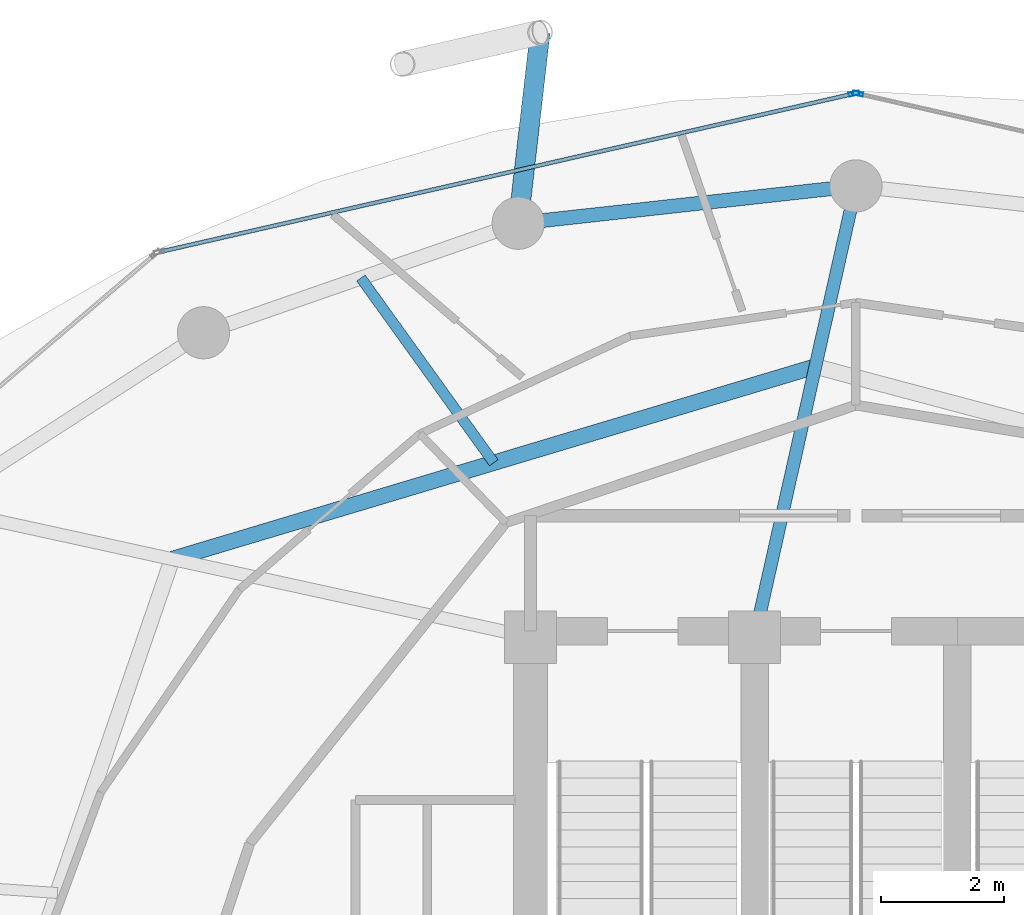
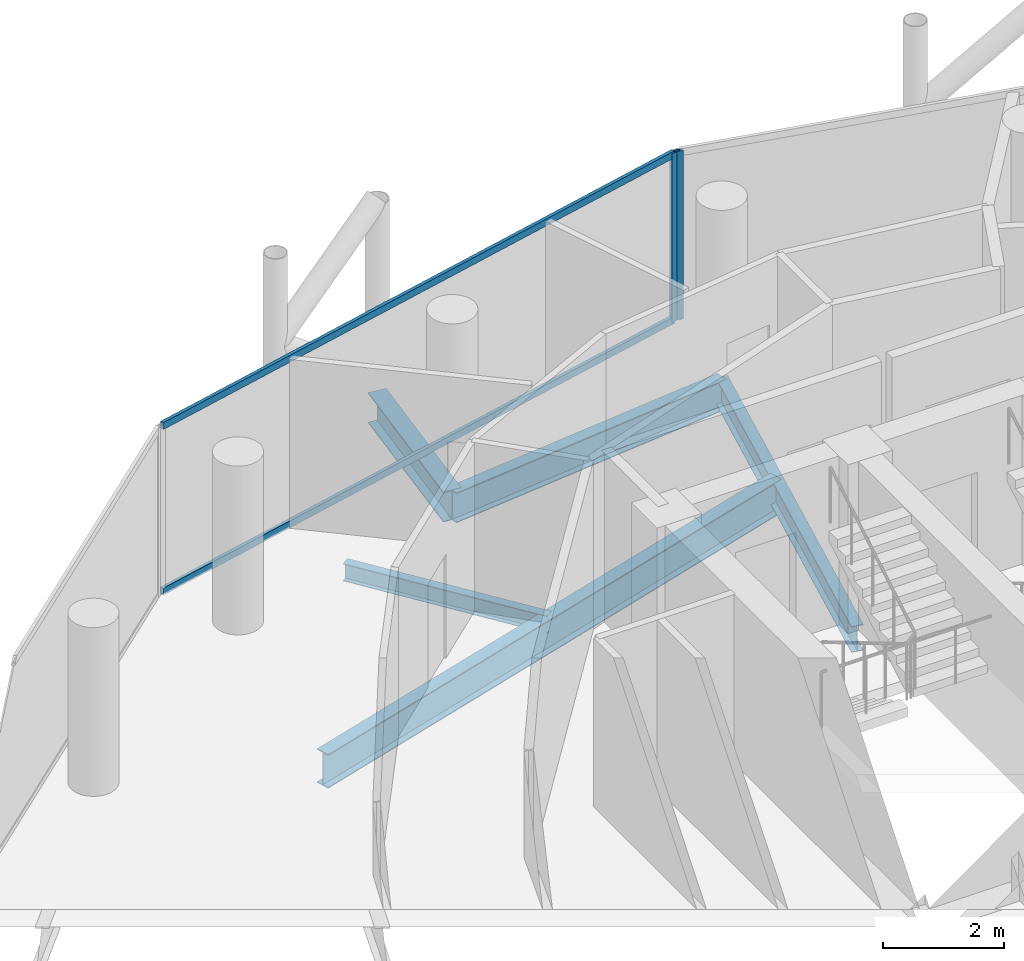
# One storey, part 19 of 27: 5 beams, 4 members, 2 elements without a shape of their own.
"""IFC4 building model written with IfcOpenShell, lengths in metres."""

from ifc_helpers import new_model, si_unit, direction, frame, origin, origin_2d, place, context, subcontext, project, spatial, hollow_rectangle, i_section, extrude, material, layer, layer_set, material_profile, profile_set, type_object, element, aggregate, save


model = new_model("IFC4")

# Units and contexts
model_context = context("Model", 3, precision=1e-05, world=origin(), true_north=direction((0.0, 1.0)))
body_context = subcontext(model_context, "Body", "Model", "MODEL_VIEW")
ifc_project = project(units=[si_unit("LENGTHUNIT", "METRE"), si_unit("AREAUNIT", "SQUARE_METRE"), si_unit("VOLUMEUNIT", "CUBIC_METRE"), si_unit("PLANEANGLEUNIT", "RADIAN"), si_unit("MASSUNIT", "GRAM", prefix="KILO")], contexts=[model_context])

# Site, building, storey
site_placement = place(None, origin())
site = spatial("IfcSite", under=ifc_project, at=site_placement, CompositionType="ELEMENT")
building_placement = place(site_placement, origin())
building = spatial("IfcBuilding", under=site, at=building_placement, Name="Nuhasar Tower", CompositionType="ELEMENT")
storey_placement = place(building_placement, frame((0.0, 0.0, 248.300048828125)))
storey = spatial("IfcBuildingStorey", under=building, at=storey_placement, Name="L61", CompositionType="ELEMENT", Elevation=248.300048828125)

# Beams
ifc_material_1 = material(Name="Steel S355", Category="steel")
ifc_material_profile_1 = material_profile(ifc_material_1, i_section(OverallWidth=0.25390625, OverallDepth=0.68408203125, WebThickness=0.012451171875, FlangeThickness=0.018798828125, at=origin_2d()), Name="W27X94")
ifc_profile_set_1 = profile_set([ifc_material_profile_1], Name="Steel S355")
beam_type_1 = type_object("IfcBeamType", Name="BM-INRING-W27X94", PredefinedType="BEAM", material=ifc_profile_set_1)
beam_1_placement = place(storey_placement, frame((38.340087890625, 41.7099609375, -0.58203125), z_axis=(-0.957973628187, -0.28685628405, 0.0), x_axis=(0.28685628405, -0.957973628187, 0.0)))
element("IfcBeam", 1, at=beam_1_placement, inside=storey, type_object=beam_type_1, Name="L61 Inner Header Beam 06", PredefinedType="BEAM", context=body_context, shape_type="SweptSolid", body=[
    extrude(i_section(OverallWidth=0.25390625, OverallDepth=0.68408203125, WebThickness=0.012451171875, FlangeThickness=0.018798828125, at=origin_2d()), origin(), (0.0, 0.0, 1.0), 10.935546875),
])
ifc_material_profile_2 = material_profile(ifc_material_1, i_section(OverallWidth=0.1708984375, OverallDepth=0.35205078125, WebThickness=0.0068359375, FlangeThickness=0.009765625, at=origin_2d()), Name="W14X30")
ifc_profile_set_2 = profile_set([ifc_material_profile_2], Name="Steel S355")
beam_type_2 = type_object("IfcBeamType", Name="BM-JST-W14X30", PredefinedType="JOIST", material=ifc_profile_set_2)
beam_2_placement = place(storey_placement, frame((33.10205078125, 40.14208984375, -0.416015625), z_axis=(-0.58390205555, 0.811824112431, 0.0), x_axis=(-0.811824112431, -0.58390205555, 0.0)))
element("IfcBeam", 2, at=beam_2_placement, inside=storey, type_object=beam_type_2, Name="L61 Secondary Floor Joist 06", PredefinedType="JOIST", context=body_context, shape_type="SweptSolid", body=[
    extrude(i_section(OverallWidth=0.1708984375, OverallDepth=0.35205078125, WebThickness=0.0068359375, FlangeThickness=0.009765625, at=origin_2d()), origin(), (0.0, 0.0, 1.0), 3.706298828125),
])
ifc_material_profile_3 = material_profile(ifc_material_1, i_section(OverallWidth=0.208984375, OverallDepth=0.528076171875, WebThickness=0.009521484375, FlangeThickness=0.01318359375, at=origin_2d()), Name="W21X55")
ifc_profile_set_3 = profile_set([ifc_material_profile_3], Name="Steel S355")
beam_type_3 = type_object("IfcBeamType", Name="BM-RAD-W21X55", PredefinedType="BEAM", material=ifc_profile_set_3)
beam_3_placement = place(storey_placement, frame((37.35009765625, 37.300048828125, -0.504150390625), z_axis=(0.219030156142, 0.975718089768, 0.0), x_axis=(-0.975718089768, 0.219030156142, 0.0)))
element("IfcBeam", 3, at=beam_3_placement, inside=storey, type_object=beam_type_3, Name="L61 Radial Floor Girder 06", PredefinedType="BEAM", context=body_context, shape_type="SweptSolid", body=[
    extrude(i_section(OverallWidth=0.208984375, OverallDepth=0.528076171875, WebThickness=0.009521484375, FlangeThickness=0.01318359375, at=origin_2d()), origin(), (0.0, 0.0, 1.0), 7.53271484375),
])
ifc_material_profile_4 = material_profile(ifc_material_1, i_section(OverallWidth=0.22802734375, OverallDepth=0.60791015625, WebThickness=0.01123046875, FlangeThickness=0.017333984375, at=origin_2d()), Name="W24X76")
ifc_profile_set_4 = profile_set([ifc_material_profile_4], Name="Steel S355")
beam_type_4 = type_object("IfcBeamType", Name="BM-RING-W24X76", PredefinedType="SPANDREL", material=ifc_profile_set_4)
beam_4_placement = place(storey_placement, frame((39.0, 44.64990234375, -0.5439453125), z_axis=(-0.993947060915, -0.109860093292, 0.0), x_axis=(0.109860093292, -0.993947060915, 0.0)))
element("IfcBeam", 4, at=beam_4_placement, inside=storey, type_object=beam_type_4, Name="L61 Perimeter Ring Spandrel 07", PredefinedType="SPANDREL", context=body_context, shape_type="SweptSolid", body=[
    extrude(i_section(OverallWidth=0.22802734375, OverallDepth=0.60791015625, WebThickness=0.01123046875, FlangeThickness=0.017333984375, at=origin_2d()), origin(), (0.0, 0.0, 1.0), 5.533447265625),
])
ifc_material_profile_5 = material_profile(ifc_material_1, i_section(OverallWidth=0.323974609375, OverallDepth=0.611083984375, WebThickness=0.0126953125, FlangeThickness=0.01904296875, at=origin_2d()), Name="W24X104")
ifc_profile_set_5 = profile_set([ifc_material_profile_5], Name="Steel S355")
beam_type_5 = type_object("IfcBeamType", Name="BM-TIE-W24X104", PredefinedType="BEAM", material=ifc_profile_set_5)
beam_5_placement = place(storey_placement, frame((33.5, 44.0419921875, -0.545166015625), z_axis=(0.114132222314, 0.993465568517, 0.0), x_axis=(-0.993465568517, 0.114132222314, 0.0)))
element("IfcBeam", 5, at=beam_5_placement, inside=storey, type_object=beam_type_5, Name="L61 Exoskeleton Node Tie Beam 04", PredefinedType="BEAM", context=body_context, shape_type="SweptSolid", body=[
    extrude(i_section(OverallWidth=0.323974609375, OverallDepth=0.611083984375, WebThickness=0.0126953125, FlangeThickness=0.01904296875, at=origin_2d()), origin(), (0.0, 0.0, 1.0), 3.12744140625),
])

# Curtain wall, member
ifc_material_2 = material(Name="Aluminium 6063-T6", Category="aluminium")
ifc_layer = layer(ifc_material_2, 0.18994140625)
ifc_layer_set = layer_set([ifc_layer], Name="Aluminium 6063-T6")
curtain_wall_type = type_object("IfcCurtainWallType", Name="CW-Z3-RES", PredefinedType="NOTDEFINED", material=ifc_layer_set)
curtain_wall_1_placement = place(storey_placement, origin())
curtain_wall_1 = element("IfcCurtainWall", 6, at=curtain_wall_1_placement, inside=storey, type_object=curtain_wall_type, Name="L61 Unitised Curtain Wall 03", PredefinedType="NOTDEFINED")
ifc_material_profile_6 = material_profile(ifc_material_2, hollow_rectangle(XDim=0.06494140625, YDim=0.169921875, WallThickness=0.0048828125, at=origin_2d()), Name="CWM-4")
ifc_profile_set_6 = profile_set([ifc_material_profile_6], Name="Aluminium 6063-T6")
member_type_1 = type_object("IfcMemberType", Name="CW-MUL-S4", PredefinedType="MULLION", material=ifc_profile_set_6)
member_1_placement = place(storey_placement, frame((39.03173828125, 46.15283203125, 0.0), z_axis=(0.0, 0.0, 1.0), x_axis=(-0.222243176313, -0.974991266926, 0.0)))
member_1 = element("IfcMember", 7, at=member_1_placement, type_object=member_type_1, Name="CW-Z3 mullion 2", PredefinedType="MULLION", context=body_context, shape_type="SweptSolid", body=[
    extrude(hollow_rectangle(XDim=0.06494140625, YDim=0.169921875, WallThickness=0.0048828125, at=origin_2d()), origin(), (0.0, 0.0, 1.0), 3.409912109375),
])
aggregate(curtain_wall_1, [member_1])

# Curtain wall, members
curtain_wall_2_placement = place(storey_placement, origin())
curtain_wall_2 = element("IfcCurtainWall", 8, at=curtain_wall_2_placement, inside=storey, type_object=curtain_wall_type, Name="L61 Unitised Curtain Wall 04", PredefinedType="NOTDEFINED")
member_2_placement = place(storey_placement, frame((38.96826171875, 46.15283203125, 0.0), z_axis=(0.0, 0.0, 1.0), x_axis=(0.222243176313, -0.974991266926, 0.0)))
member_2 = element("IfcMember", 9, at=member_2_placement, type_object=member_type_1, Name="CW-Z3 mullion 1", PredefinedType="MULLION", context=body_context, shape_type="SweptSolid", body=[
    extrude(hollow_rectangle(XDim=0.06494140625, YDim=0.169921875, WallThickness=0.0048828125, at=origin_2d()), origin(), (0.0, 0.0, 1.0), 3.409912109375),
])
ifc_material_profile_7 = material_profile(ifc_material_2, hollow_rectangle(XDim=0.06494140625, YDim=0.139892578125, WallThickness=0.00439453125, at=origin_2d()), Name="CWT-4")
ifc_profile_set_7 = profile_set([ifc_material_profile_7], Name="Aluminium 6063-T6")
member_type_2 = type_object("IfcMemberType", Name="CW-TRN-S4", PredefinedType="USERDEFINED", material=ifc_profile_set_7)
member_3_placement = place(storey_placement, frame((38.9365234375, 46.1455078125, 0.032470703125), z_axis=(-0.974994070913, -0.222230874732, 0.0), x_axis=(0.222230874732, -0.974994070913, 0.0)))
member_3 = element("IfcMember", 10, at=member_3_placement, type_object=member_type_2, Name="CW-Z3 transom 1.1", ObjectType="TRANSOM", PredefinedType="USERDEFINED", context=body_context, shape_type="SweptSolid", body=[
    extrude(hollow_rectangle(XDim=0.06494140625, YDim=0.139892578125, WallThickness=0.00439453125, at=origin_2d()), origin(), (0.0, 0.0, 1.0), 11.541748046875),
])
member_4_placement = place(storey_placement, frame((38.9365234375, 46.1455078125, 3.37744140625), z_axis=(-0.974994070913, -0.222230874732, 0.0), x_axis=(0.222230874732, -0.974994070913, 0.0)))
member_4 = element("IfcMember", 11, at=member_4_placement, type_object=member_type_2, Name="CW-Z3 transom 1.2", ObjectType="TRANSOM", PredefinedType="USERDEFINED", context=body_context, shape_type="SweptSolid", body=[
    extrude(hollow_rectangle(XDim=0.06494140625, YDim=0.139892578125, WallThickness=0.00439453125, at=origin_2d()), origin(), (0.0, 0.0, 1.0), 11.541748046875),
])
aggregate(curtain_wall_2, [member_2, member_3, member_4])

save(model, "model.ifc")
